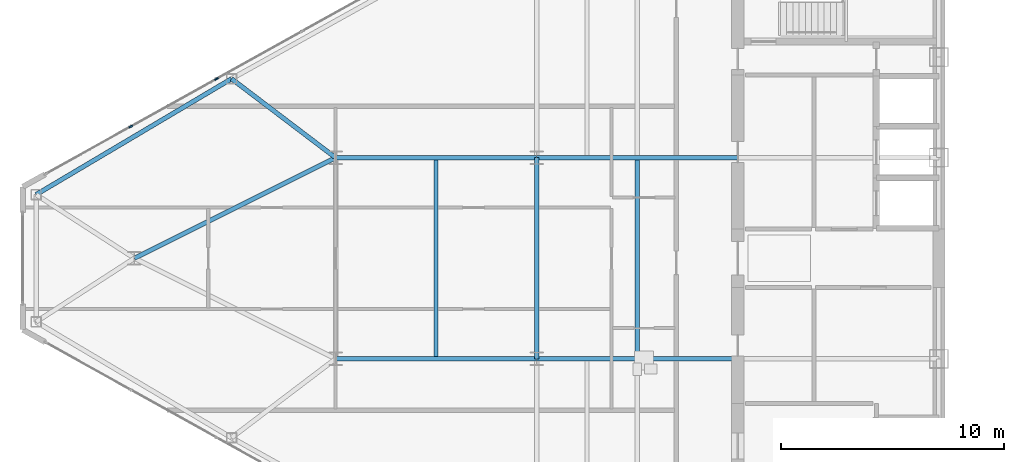
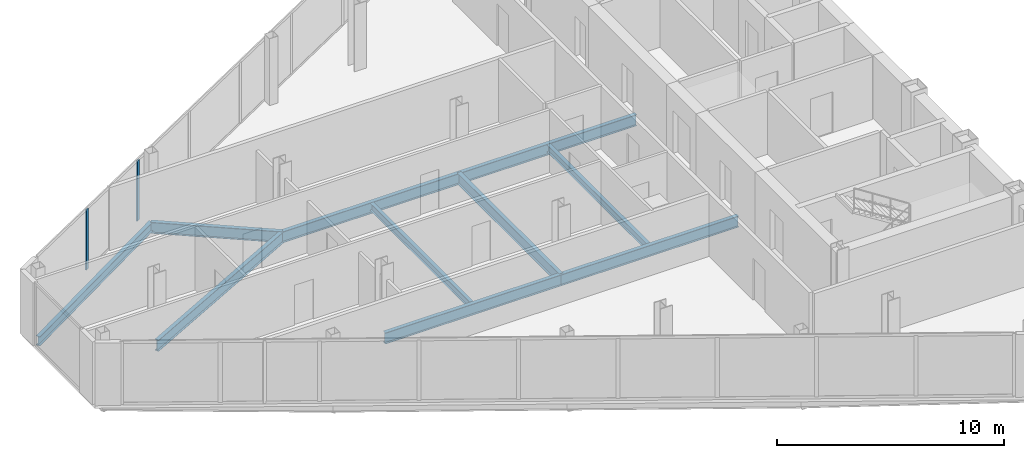
# One storey, part 6 of 25: 10 beams, 2 members, 1 element without a shape of its own.
"""IFC4 building model written with IfcOpenShell, lengths in metres."""

from ifc_helpers import new_model, si_unit, direction, frame, origin, origin_2d, place, context, subcontext, project, spatial, rectangle, i_section, extrude, source, transform, mapped, material, layer, layer_set, material_profile, profile_set, type_object, type_shapes, element, aggregate, save


model = new_model("IFC4")

# Units and contexts
model_context = context("Model", 3, precision=1e-05, world=origin(), true_north=direction((0.0, 1.0)))
body_context = subcontext(model_context, "Body", "Model", "MODEL_VIEW")
ifc_project = project(units=[si_unit("LENGTHUNIT", "METRE"), si_unit("AREAUNIT", "SQUARE_METRE"), si_unit("VOLUMEUNIT", "CUBIC_METRE"), si_unit("PLANEANGLEUNIT", "RADIAN"), si_unit("MASSUNIT", "GRAM", prefix="KILO")], contexts=[model_context])

# Site, building, storey
site_placement = place(None, origin())
site = spatial("IfcSite", under=ifc_project, at=site_placement, CompositionType="ELEMENT")
building_placement = place(site_placement, origin())
building = spatial("IfcBuilding", under=site, at=building_placement, Name="Seokmaru Belvedere", CompositionType="ELEMENT")
storey_placement = place(building_placement, frame((0.0, 0.0, 185.10009765625)))
storey = spatial("IfcBuildingStorey", under=building, at=storey_placement, Name="L49", CompositionType="ELEMENT", Elevation=185.10009765625)

# Beams
ifc_material_1 = material(Name="Steel SM355 (355 MPa)", Category="steel")
ifc_material_profile_1 = material_profile(ifc_material_1, i_section(OverallWidth=0.199951171875, OverallDepth=0.60009765625, WebThickness=0.010986328125, FlangeThickness=0.01708984375, at=origin_2d()), Name="H-600x200x11x17")
ifc_profile_set_1 = profile_set([ifc_material_profile_1], Name="Steel SM355 (355 MPa)")
beam_type_1 = type_object("IfcBeamType", Name="Primary Floor Girder H-600", PredefinedType="BEAM", material=ifc_profile_set_1)
shared_shape_1 = source(origin(), body_context, "Body", "SweptSolid", [
    extrude(i_section(OverallWidth=0.199951171875, OverallDepth=0.60009765625, WebThickness=0.010986328125, FlangeThickness=0.01708984375, at=origin_2d()), origin(), (0.0, 0.0, 1.0), 9.0),
])
for number, where, z_axis, x_axis, name in (
    (1, (-45.5, -4.5, -0.52001953125), (0.0, 1.0, 0.0), (-1.0, 0.0, 0.0), "L49 W Interior Grid Girder 2"),
    (2, (-45.5, -4.5, -0.52001953125), (1.0, 0.0, 0.0), (0.0, 1.0, 0.0), "L49 W Wing Primary Girder 2"),
    (3, (-45.5, 4.5, -0.52001953125), (1.0, 0.0, 0.0), (0.0, 1.0, 0.0), "L49 W Wing Primary Girder 3"),
    (4, (-54.5, -4.5, -0.52001953125), (1.0, 0.0, 0.0), (0.0, 1.0, 0.0), "L49 W Outer Wing Girder 1"),
    (5, (-54.5, 4.5, -0.52001953125), (1.0, 0.0, 0.0), (0.0, 1.0, 0.0), "L49 W Outer Wing Girder 2"),
):
    element("IfcBeam", number, at=place(storey_placement, frame(where, z_axis=z_axis, x_axis=x_axis)), inside=storey, type_object=beam_type_1, Name=name, PredefinedType="BEAM", context=body_context, shape_type="MappedRepresentation", body=[
        mapped(shared_shape_1, transform((0.0, 0.0, 0.0), scale=1.0)),
    ])
shared_shape_2 = source(origin(), body_context, "Body", "SweptSolid", [
    extrude(i_section(OverallWidth=0.199951171875, OverallDepth=0.60009765625, WebThickness=0.010986328125, FlangeThickness=0.01708984375, at=origin_2d()), origin(), (0.0, 0.0, 1.0), 10.062255859375),
])
beam_1_placement = place(storey_placement, frame((-54.5, 4.5, -0.52001953125), z_axis=(-0.894427191, -0.4472135955, 0.0), x_axis=(0.4472135955, -0.894427191, 0.0)))
element("IfcBeam", 6, at=beam_1_placement, inside=storey, type_object=beam_type_1, Name="L49 W Apex Converging Girder 2", PredefinedType="BEAM", context=body_context, shape_type="MappedRepresentation", body=[
    mapped(shared_shape_2, transform((0.0, 0.0, 0.0), scale=1.0)),
])
ifc_material_profile_2 = material_profile(ifc_material_1, i_section(OverallWidth=0.18505859375, OverallDepth=0.389892578125, WebThickness=0.008056640625, FlangeThickness=0.011962890625, at=origin_2d()), Name="H-390x185x8x12")
ifc_profile_set_2 = profile_set([ifc_material_profile_2], Name="Steel SM355 (355 MPa)")
beam_type_2 = type_object("IfcBeamType", Name="Secondary Floor Joist H-350", PredefinedType="JOIST", material=ifc_profile_set_2)
shared_shape_3 = source(origin(), body_context, "Body", "SweptSolid", [
    extrude(i_section(OverallWidth=0.18505859375, OverallDepth=0.389892578125, WebThickness=0.008056640625, FlangeThickness=0.011962890625, at=origin_2d()), origin(), (0.0, 0.0, 1.0), 8.7900390625),
])
type_shapes(beam_type_2, [shared_shape_3])
for number, where, z_axis, x_axis, name in (
    (7, (-41.0, -4.39501953125, -0.4150390625), (0.0, 1.0, 0.0), (-1.0, 0.0, 0.0), "L49 W Secondary Floor Joist 2"),
    (8, (-50.0, -4.39501953125, -0.4150390625), (0.0, 1.0, 0.0), (-1.0, 0.0, 0.0), "L49 W Outer Bay Secondary Joist"),
):
    element("IfcBeam", number, at=place(storey_placement, frame(where, z_axis=z_axis, x_axis=x_axis)), inside=storey, type_object=beam_type_2, Name=name, PredefinedType="JOIST", context=body_context, shape_type="MappedRepresentation", body=[
        mapped(shared_shape_3, transform((0.0, 0.0, 0.0), scale=1.0)),
    ])
ifc_material_profile_3 = material_profile(ifc_material_1, i_section(OverallWidth=0.199951171875, OverallDepth=0.5, WebThickness=0.010009765625, FlangeThickness=0.01611328125, at=origin_2d()), Name="H-500x200x10x16")
ifc_profile_set_3 = profile_set([ifc_material_profile_3], Name="Steel SM355 (355 MPa)")
beam_type_3 = type_object("IfcBeamType", Name="Perimeter Spandrel Beam H-500", PredefinedType="SPANDREL", material=ifc_profile_set_3)
shared_shape_4 = source(origin(), body_context, "Body", "SweptSolid", [
    extrude(i_section(OverallWidth=0.199951171875, OverallDepth=0.5, WebThickness=0.010009765625, FlangeThickness=0.01611328125, at=origin_2d()), origin(), (0.0, 0.0, 1.0), 10.16650390625),
])
type_shapes(beam_type_3, [shared_shape_4])
beam_2_placement = place(storey_placement, frame((-59.154541015625, 8.031494140625, -0.47021484375), z_axis=(-0.860209996506, -0.509939959124, 0.0), x_axis=(0.509939959124, -0.860209996506, 0.0)))
element("IfcBeam", 9, at=beam_2_placement, inside=storey, type_object=beam_type_3, Name="L49 W Faceted Flank Spandrel N-4", PredefinedType="SPANDREL", context=body_context, shape_type="MappedRepresentation", body=[
    mapped(shared_shape_4, transform((0.0, 0.0, 0.0), scale=1.0)),
])
shared_shape_5 = source(origin(), body_context, "Body", "SweptSolid", [
    extrude(i_section(OverallWidth=0.199951171875, OverallDepth=0.60009765625, WebThickness=0.010986328125, FlangeThickness=0.01708984375, at=origin_2d()), origin(), (0.0, 0.0, 1.0), 5.842529296875),
])
type_shapes(beam_type_1, [shared_shape_1, shared_shape_2, shared_shape_5])
beam_3_placement = place(storey_placement, frame((-59.154541015625, 8.031494140625, -0.52001953125), z_axis=(0.796653109879, -0.604436781243, 0.0), x_axis=(0.604436781243, 0.796653109879, 0.0)))
element("IfcBeam", 10, at=beam_3_placement, inside=storey, type_object=beam_type_1, Name="L49 W Flank Radial Floor Girder N-3", PredefinedType="BEAM", context=body_context, shape_type="MappedRepresentation", body=[
    mapped(shared_shape_5, transform((0.0, 0.0, 0.0), scale=1.0)),
])

# Curtain wall, members
ifc_material_2 = material(Name="Bronze Triple Insulating Glass", Category="glass")
ifc_layer = layer(ifc_material_2, 0.179931640625)
ifc_layer_set = layer_set([ifc_layer], Name="Bronze Triple Insulating Glass")
curtain_wall_type = type_object("IfcCurtainWallType", Name="High-Rise Wind-Corner Curtain Wall System CW-5", PredefinedType="NOTDEFINED", material=ifc_layer_set)
curtain_wall_placement = place(storey_placement, origin())
curtain_wall = element("IfcCurtainWall", 11, at=curtain_wall_placement, inside=storey, type_object=curtain_wall_type, Name="L49 Curtain Wall WF3", PredefinedType="NOTDEFINED")
ifc_material_3 = material(Name="Anodised Bronze Aluminium", Category="aluminium")
ifc_material_profile_4 = material_profile(ifc_material_3, rectangle(XDim=0.06494140625, YDim=0.179931640625, at=origin_2d()), Name="CW-M-65x180")
ifc_profile_set_4 = profile_set([ifc_material_profile_4], Name="Anodised Bronze Aluminium")
member_type = type_object("IfcMemberType", Name="Bronze Unitised Mullion 65x180", PredefinedType="MULLION", material=ifc_profile_set_4)
shared_shape_6 = source(origin(), body_context, "Body", "SweptSolid", [
    extrude(rectangle(XDim=0.06494140625, YDim=0.179931640625, at=origin_2d()), origin(), (0.0, 0.0, 1.0), 3.25),
])
type_shapes(member_type, [shared_shape_6])
member_1_placement = place(storey_placement, frame((-59.83056640625, 8.021728515625, 0.06494140625), z_axis=(0.0, 0.0, 1.0), x_axis=(0.486047125147, -0.873932601598, 0.0)))
member_1 = element("IfcMember", 12, at=member_1_placement, type_object=member_type, Name="CW:L49:WF3 Mullion 8", PredefinedType="MULLION", context=body_context, shape_type="MappedRepresentation", body=[
    mapped(shared_shape_6, transform((0.0, 0.0, 0.0), scale=1.0)),
])
member_2_placement = place(storey_placement, frame((-63.662841796875, 5.890380859375, 0.06494140625), z_axis=(0.0, 0.0, 1.0), x_axis=(0.486047125147, -0.873932601598, 0.0)))
member_2 = element("IfcMember", 13, at=member_2_placement, type_object=member_type, Name="CW:L49:WF3 Mullion 9", PredefinedType="MULLION", context=body_context, shape_type="MappedRepresentation", body=[
    mapped(shared_shape_6, transform((0.0, 0.0, 0.0), scale=1.0)),
])
aggregate(curtain_wall, [member_1, member_2])

save(model, "model.ifc")
